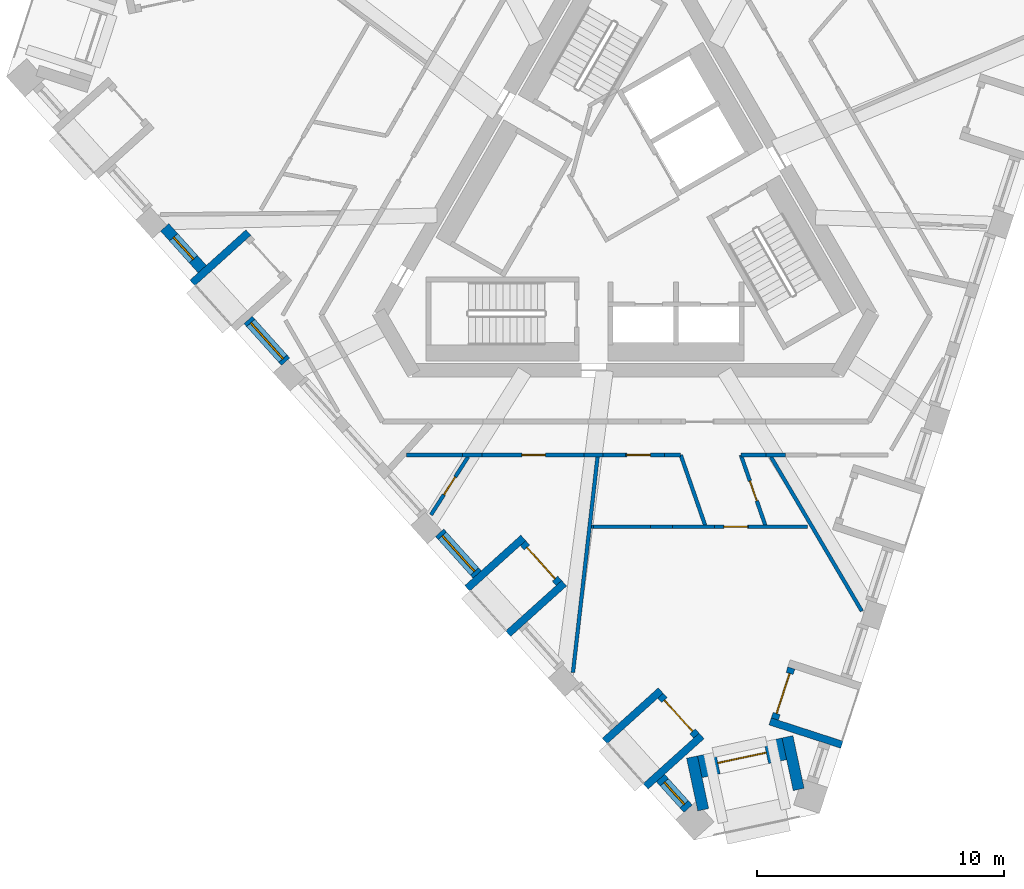
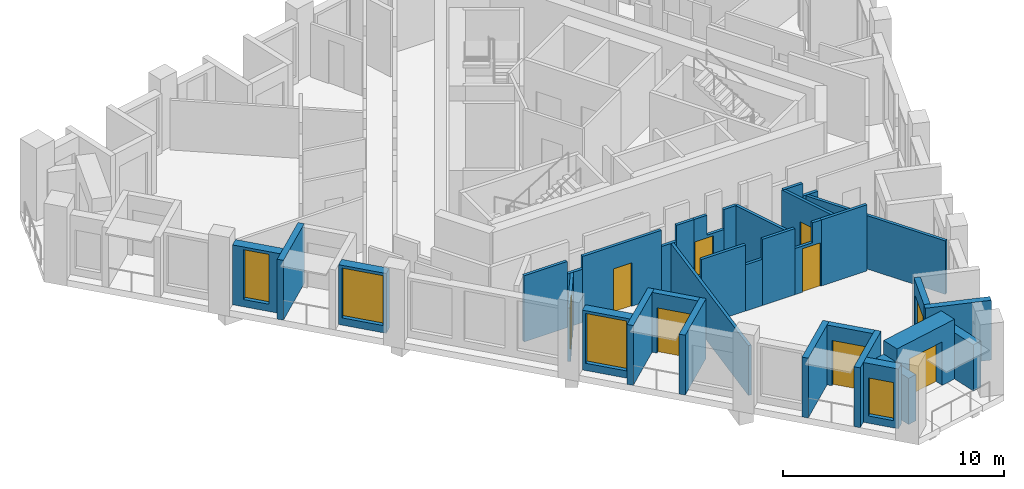
# One storey, part 2 of 12: 36 walls, 9 doors, 4 windows, 13 openings.
"""IFC4 building model written with IfcOpenShell, lengths in metres."""

from ifc_helpers import new_model, si_unit, direction, frame, frame_2d, origin, place, context, subcontext, project, spatial, polyline, rectangle, outline, extrude, material, layer, layer_set, type_object, element, fill, save


model = new_model("IFC4")

# Units and contexts
model_context = context("Model", 3, precision=1e-05, world=origin(), true_north=direction((0.0, 1.0)))
body_context = subcontext(model_context, "Body", "Model", "MODEL_VIEW")
ifc_project = project(units=[si_unit("LENGTHUNIT", "METRE"), si_unit("AREAUNIT", "SQUARE_METRE"), si_unit("VOLUMEUNIT", "CUBIC_METRE"), si_unit("PLANEANGLEUNIT", "RADIAN"), si_unit("MASSUNIT", "GRAM", prefix="KILO")], contexts=[model_context])

# Site, building, storey
site_placement = place(None, origin())
site = spatial("IfcSite", under=ifc_project, at=site_placement, CompositionType="ELEMENT")
building_placement = place(site_placement, origin())
building = spatial("IfcBuilding", under=site, at=building_placement, Name="Tramontana Tower", CompositionType="ELEMENT")
storey_placement = place(building_placement, frame((0.0, 0.0, 320.39990234375)))
storey = spatial("IfcBuildingStorey", under=building, at=storey_placement, Name="L73", CompositionType="ELEMENT", Elevation=320.39990234375)

# Wall, opening, window
ifc_material_1 = material(Name="Precast concrete 60 MPa", Category="concrete")
ifc_layer_1 = layer(ifc_material_1, 0.449951171875)
ifc_layer_set_1 = layer_set([ifc_layer_1], Name="Precast concrete 60 MPa, 450 mm")
wall_type_1 = type_object("IfcWallType", Name="EW1 Stone-faced precast wall 450", PredefinedType="SOLIDWALL", material=ifc_layer_set_1)
wall_1_placement = place(storey_placement, frame((-18.655517578125, -0.689208984375, 0.0), z_axis=(0.0, 0.0, 1.0), x_axis=(0.669107243666, -0.743165860676, 0.0)))
wall_1 = element("IfcWall", 1, at=wall_1_placement, inside=storey, type_object=wall_type_1, Name="External wall L73 face 0 bay 2", PredefinedType="SOLIDWALL", context=body_context, shape_type="SweptSolid", body=[
    extrude(rectangle(XDim=2.271240234375, YDim=0.449951171875, at=frame_2d((1.1357421875, 0.0))), origin(), (0.0, 0.0, 1.0), 3.300048828125),
])
opening_1_placement = place(wall_1_placement, frame((0.53564453125, 0.0, 0.39990234375)))
opening_1 = element("IfcOpeningElement", 2, at=opening_1_placement, cuts=wall_1, Name="Opening N3", PredefinedType="OPENING", context=body_context, shape_type="SweptSolid", body=[
    extrude(rectangle(XDim=1.199951171875, YDim=2.75, at=frame_2d((0.60009765625, 1.375))), frame((0.0, 0.23486328125, 0.0), z_axis=(0.0, -1.0, 0.0), x_axis=(1.0, 0.0, 0.0)), (0.0, 0.0, 1.0), 0.469970703125),
])
ifc_material_2 = material(Name="Aluminum frame, double glazing unit", Category="aluminium")
window_type_1 = type_object("IfcWindowType", Name="N3 Window 1.2 x 2.75", PartitioningType="SINGLE_PANEL", PredefinedType="WINDOW", material=ifc_material_2)
window_1_placement = place(opening_1_placement, origin())
window_1 = element("IfcWindow", 3, at=window_1_placement, inside=storey, type_object=window_type_1, Name="Window N3 L73 face 0 module 4", OverallHeight=2.75, OverallWidth=1.199951171875, PartitioningType="SINGLE_PANEL", PredefinedType="WINDOW", context=body_context, shape_type="SweptSolid", body=[
    extrude(rectangle(XDim=1.199951171875, YDim=2.75, at=frame_2d((0.60009765625, 1.375))), frame((0.0, 0.030029296875, 0.0), z_axis=(0.0, -1.0, 0.0), x_axis=(1.0, 0.0, 0.0)), (0.0, 0.0, 1.0), 0.06005859375),
])
fill(opening_1, window_1)

wall_2_placement = place(storey_placement, frame((-15.281494140625, -4.4365234375, 0.0), z_axis=(0.0, 0.0, 1.0), x_axis=(0.669107243666, -0.743165860676, 0.0)))
wall_2 = element("IfcWall", 4, at=wall_2_placement, inside=storey, type_object=wall_type_1, Name="External wall L73 face 0 bay 2", PredefinedType="SOLIDWALL", context=body_context, shape_type="SweptSolid", body=[
    extrude(rectangle(XDim=2.271240234375, YDim=0.449951171875, at=frame_2d((1.1357421875, 0.0))), origin(), (0.0, 0.0, 1.0), 3.300048828125),
])
opening_2_placement = place(wall_2_placement, frame((0.16064453125, 0.0, 0.39990234375)))
opening_2 = element("IfcOpeningElement", 5, at=opening_2_placement, cuts=wall_2, Name="Opening M3", PredefinedType="OPENING", context=body_context, shape_type="SweptSolid", body=[
    extrude(rectangle(XDim=1.949951171875, YDim=2.75, at=frame_2d((0.97509765625, 1.375))), frame((0.0, 0.23486328125, 0.0), z_axis=(0.0, -1.0, 0.0), x_axis=(1.0, 0.0, 0.0)), (0.0, 0.0, 1.0), 0.469970703125),
])
ifc_material_3 = material(Name="Aluminum frame, double glazing unit", Category="aluminium")
window_type_2 = type_object("IfcWindowType", Name="M3 Window 1.95 x 2.75", PartitioningType="SINGLE_PANEL", PredefinedType="WINDOW", material=ifc_material_3)
window_2_placement = place(opening_2_placement, origin())
window_2 = element("IfcWindow", 6, at=window_2_placement, inside=storey, type_object=window_type_2, Name="Window M3 L73 face 0 module 6", OverallHeight=2.75, OverallWidth=1.949951171875, PartitioningType="SINGLE_PANEL", PredefinedType="WINDOW", context=body_context, shape_type="SweptSolid", body=[
    extrude(rectangle(XDim=1.949951171875, YDim=2.75, at=frame_2d((0.97509765625, 1.375))), frame((0.0, 0.030029296875, 0.0), z_axis=(0.0, -1.0, 0.0), x_axis=(1.0, 0.0, 0.0)), (0.0, 0.0, 1.0), 0.06005859375),
])
fill(opening_2, window_2)

wall_3_placement = place(storey_placement, frame((-7.529541015625, -13.046142578125, 0.0), z_axis=(0.0, 0.0, 1.0), x_axis=(0.669160694992, -0.743117732447, 0.0)))
wall_3 = element("IfcWall", 7, at=wall_3_placement, inside=storey, type_object=wall_type_1, Name="External wall L73 face 0 bay 4", PredefinedType="SOLIDWALL", context=body_context, shape_type="SweptSolid", body=[
    extrude(rectangle(XDim=2.271240234375, YDim=0.449951171875, at=frame_2d((1.1357421875, 0.0))), origin(), (0.0, 0.0, 1.0), 3.300048828125),
])
opening_3_placement = place(wall_3_placement, frame((0.16064453125, 0.0, 0.39990234375)))
opening_3 = element("IfcOpeningElement", 8, at=opening_3_placement, cuts=wall_3, Name="Opening M3", PredefinedType="OPENING", context=body_context, shape_type="SweptSolid", body=[
    extrude(rectangle(XDim=1.949951171875, YDim=2.75, at=frame_2d((0.97509765625, 1.375))), frame((0.0, 0.23486328125, 0.0), z_axis=(0.0, -1.0, 0.0), x_axis=(1.0, 0.0, 0.0)), (0.0, 0.0, 1.0), 0.469970703125),
])
window_3_placement = place(opening_3_placement, origin())
window_3 = element("IfcWindow", 9, at=window_3_placement, inside=storey, type_object=window_type_2, Name="Window M3 L73 face 0 module 10", OverallHeight=2.75, OverallWidth=1.949951171875, PartitioningType="SINGLE_PANEL", PredefinedType="WINDOW", context=body_context, shape_type="SweptSolid", body=[
    extrude(rectangle(XDim=1.949951171875, YDim=2.75, at=frame_2d((0.97509765625, 1.375))), frame((0.0, 0.030029296875, 0.0), z_axis=(0.0, -1.0, 0.0), x_axis=(1.0, 0.0, 0.0)), (0.0, 0.0, 1.0), 0.06005859375),
])
fill(opening_3, window_3)

wall_4_placement = place(storey_placement, frame((1.40771484375, -22.971923828125, 0.0), z_axis=(0.0, 0.0, 1.0), x_axis=(0.669182609054, -0.743097998746, 0.0)))
wall_4 = element("IfcWall", 10, at=wall_4_placement, inside=storey, type_object=wall_type_1, Name="External wall L73 face 0 bay 5", PredefinedType="SOLIDWALL", context=body_context, shape_type="SweptSolid", body=[
    extrude(rectangle(XDim=1.67138671875, YDim=0.449951171875, at=frame_2d((0.835693359375, 0.0))), origin(), (0.0, 0.0, 1.0), 3.300048828125),
])
opening_4_placement = place(wall_4_placement, frame((0.235595703125, 0.0, 0.39990234375)))
opening_4 = element("IfcOpeningElement", 11, at=opening_4_placement, cuts=wall_4, Name="Opening N3L", PredefinedType="OPENING", context=body_context, shape_type="SweptSolid", body=[
    extrude(rectangle(XDim=1.199951171875, YDim=2.10009765625, at=frame_2d((0.60009765625, 1.050048828125))), frame((0.0, 0.23486328125, 0.0), z_axis=(0.0, -1.0, 0.0), x_axis=(1.0, 0.0, 0.0)), (0.0, 0.0, 1.0), 0.469970703125),
])
ifc_material_4 = material(Name="Aluminum frame, double glazing unit", Category="aluminium")
window_type_3 = type_object("IfcWindowType", Name="N3L Window 1.2 x 2.1", PartitioningType="SINGLE_PANEL", PredefinedType="WINDOW", material=ifc_material_4)
window_4_placement = place(opening_4_placement, origin())
window_4 = element("IfcWindow", 12, at=window_4_placement, inside=storey, type_object=window_type_3, Name="Window N3L L73 face 0 module 15", OverallHeight=2.10009765625, OverallWidth=1.199951171875, PartitioningType="SINGLE_PANEL", PredefinedType="WINDOW", context=body_context, shape_type="SweptSolid", body=[
    extrude(rectangle(XDim=1.199951171875, YDim=2.10009765625, at=frame_2d((0.60009765625, 1.050048828125))), frame((0.0, 0.030029296875, 0.0), z_axis=(0.0, -1.0, 0.0), x_axis=(1.0, 0.0, 0.0)), (0.0, 0.0, 1.0), 0.06005859375),
])
fill(opening_4, window_4)

# Walls
for number, where, z_axis, x_axis, name in (
    (13, (7.00048828125, -23.435791015625, 0.0), (0.0, 0.0, 1.0), (-0.207929769172, 0.978143757886, 0.0), "Corner loggia side wall L73 K81l"),
    (14, (3.136962890625, -24.257080078125, 0.0), (0.0, 0.0, 1.0), (-0.207929769172, 0.978143757886, 0.0), "Corner loggia side wall L73 K81r"),
):
    element("IfcWall", number, at=place(storey_placement, frame(where, z_axis=z_axis, x_axis=x_axis)), inside=storey, type_object=wall_type_1, Name=name, PredefinedType="SOLIDWALL", context=body_context, shape_type="SweptSolid", body=[
        extrude(rectangle(XDim=2.17919921875, YDim=0.449951171875, at=frame_2d((1.089599609375, 0.0))), origin(), (0.0, 0.0, 1.0), 2.550048828125),
    ])

# Wall, opening, door
ifc_material_5 = material(Name="Precast concrete 60 MPa", Category="concrete")
ifc_layer_2 = layer(ifc_material_5, 0.89990234375)
ifc_layer_set_2 = layer_set([ifc_layer_2], Name="EW2 Stone-faced corner loggia wall 900")
wall_type_2 = type_object("IfcWallType", Name="EW2 Stone-faced corner loggia wall 900", PredefinedType="SOLIDWALL", material=ifc_layer_set_2)
wall_5_placement = place(storey_placement, frame((6.4208984375, -21.791259765625, 0.0), z_axis=(0.0, 0.0, 1.0), x_axis=(-0.978154241128, -0.207880447765, 0.0)))
wall_5 = element("IfcWall", 15, at=wall_5_placement, inside=storey, type_object=wall_type_2, Name="Corner loggia wall L73 K81", PredefinedType="SOLIDWALL", context=body_context, shape_type="SweptSolid", body=[
    extrude(rectangle(XDim=3.499755859375, YDim=0.89990234375, at=frame_2d((1.75, 0.0))), origin(), (0.0, 0.0, 1.0), 3.300048828125),
])
opening_5_placement = place(wall_5_placement, frame((0.75, 0.0, 0.0)))
opening_5 = element("IfcOpeningElement", 16, at=opening_5_placement, cuts=wall_5, Name="Opening BD-81C", PredefinedType="OPENING", context=body_context, shape_type="SweptSolid", body=[
    extrude(rectangle(XDim=2.0, YDim=2.39990234375, at=frame_2d((1.0, 1.199951171875))), frame((0.0, 0.4599609375, 0.0), z_axis=(0.0, -1.0, 0.0), x_axis=(1.0, 0.0, 0.0)), (0.0, 0.0, 1.0), 0.919921875),
])
ifc_material_6 = material(Name="Aluminum frame, double glazing unit", Category="aluminium")
door_type_1 = type_object("IfcDoorType", Name="BC1 Sliding door 2 x 2.4", OperationType="SLIDING_TO_LEFT", PredefinedType="DOOR", material=ifc_material_6)
door_1_placement = place(opening_5_placement, origin())
door_1 = element("IfcDoor", 17, at=door_1_placement, inside=storey, type_object=door_type_1, Name="Corner loggia door L73 K81", OperationType="SLIDING_TO_LEFT", OverallHeight=2.39990234375, OverallWidth=2.0, PredefinedType="DOOR", context=body_context, shape_type="SweptSolid", body=[
    extrude(rectangle(XDim=2.0, YDim=2.39990234375, at=frame_2d((1.0, 1.199951171875))), frame((0.0, 0.02490234375, 0.0), z_axis=(0.0, -1.0, 0.0), x_axis=(1.0, 0.0, 0.0)), (0.0, 0.0, 1.0), 0.050048828125),
])
fill(opening_5, door_1)

# Wall
ifc_material_7 = material(Name="Precast concrete 60 MPa", Category="concrete")
ifc_layer_3 = layer(ifc_material_7, 0.300048828125)
ifc_layer_set_3 = layer_set([ifc_layer_3], Name="LW1 Stone-faced loggia wall 300")
wall_type_3 = type_object("IfcWallType", Name="LW1 Stone-faced loggia wall 300", PredefinedType="SOLIDWALL", material=ifc_layer_set_3)
wall_6_placement = place(storey_placement, frame((-17.537109375, -2.9404296875, 0.0), z_axis=(0.0, 0.0, 1.0), x_axis=(0.743118999127, 0.669159288314, 0.0)))
element("IfcWall", 18, at=wall_6_placement, inside=storey, type_object=wall_type_3, Name="Loggia return L73 G8S0.4a", PredefinedType="SOLIDWALL", context=body_context, shape_type="SweptSolid", body=[
    extrude(rectangle(XDim=3.050048828125, YDim=0.300048828125, at=frame_2d((1.52490234375, 0.0))), origin(), (0.0, 0.0, 1.0), 3.300048828125),
])

# Wall, opening, door
wall_7_placement = place(storey_placement, frame((-4.155517578125, -13.468017578125, 0.0), z_axis=(0.0, 0.0, 1.0), x_axis=(0.669144868344, -0.743131983681, 0.0)))
wall_7 = element("IfcWall", 19, at=wall_7_placement, inside=storey, type_object=wall_type_3, Name="Loggia wall L73 G8S0.10", PredefinedType="SOLIDWALL", context=body_context, shape_type="SweptSolid", body=[
    extrude(rectangle(XDim=2.171142578125, YDim=0.300048828125, at=frame_2d((1.08544921875, 0.0))), origin(), (0.0, 0.0, 1.0), 3.300048828125),
])
opening_6_placement = place(wall_7_placement, frame((0.235595703125, 0.0, 0.0)))
opening_6 = element("IfcOpeningElement", 20, at=opening_6_placement, cuts=wall_7, Name="Opening BD-8S0-10", PredefinedType="OPENING", context=body_context, shape_type="SweptSolid", body=[
    extrude(rectangle(XDim=1.699951171875, YDim=2.5, at=frame_2d((0.85009765625, 1.25))), frame((0.0, 0.159912109375, 0.0), z_axis=(0.0, -1.0, 0.0), x_axis=(1.0, 0.0, 0.0)), (0.0, 0.0, 1.0), 0.320068359375),
])
ifc_material_8 = material(Name="Aluminum frame, double glazing unit", Category="aluminium")
door_type_2 = type_object("IfcDoorType", Name="BD3 Sliding door 1.7 x 2.5", OperationType="SLIDING_TO_LEFT", PredefinedType="DOOR", material=ifc_material_8)
door_2_placement = place(opening_6_placement, origin())
door_2 = element("IfcDoor", 21, at=door_2_placement, inside=storey, type_object=door_type_2, Name="Loggia door L73 G8S0.10", OperationType="SLIDING_TO_LEFT", OverallHeight=2.5, OverallWidth=1.699951171875, PredefinedType="DOOR", context=body_context, shape_type="SweptSolid", body=[
    extrude(rectangle(XDim=1.699951171875, YDim=2.5, at=frame_2d((0.85009765625, 1.25))), frame((0.0, 0.02490234375, 0.0), z_axis=(0.0, -1.0, 0.0), x_axis=(1.0, 0.0, 0.0)), (0.0, 0.0, 1.0), 0.050048828125),
])
fill(opening_6, door_2)

# Walls
for number, where, z_axis, x_axis, name in (
    (22, (-6.410888671875, -15.297119140625, 0.0), (0.0, 0.0, 1.0), (0.743158802514, 0.669115082961, 0.0), "Loggia return L73 G8S0.10a"),
    (23, (-4.75732421875, -17.133544921875, 0.0), (0.0, 0.0, 1.0), (0.743158802514, 0.669115082961, 0.0), "Loggia return L73 G8S0.10b"),
):
    element("IfcWall", number, at=place(storey_placement, frame(where, z_axis=z_axis, x_axis=x_axis)), inside=storey, type_object=wall_type_3, Name=name, PredefinedType="SOLIDWALL", context=body_context, shape_type="SweptSolid", body=[
        extrude(rectangle(XDim=3.050048828125, YDim=0.300048828125, at=frame_2d((1.52490234375, 0.0))), origin(), (0.0, 0.0, 1.0), 3.300048828125),
    ])

# Wall, opening, door
wall_8_placement = place(storey_placement, frame((1.40771484375, -19.646484375, 0.0), z_axis=(0.0, 0.0, 1.0), x_axis=(0.669144868344, -0.743131983681, 0.0)))
wall_8 = element("IfcWall", 24, at=wall_8_placement, inside=storey, type_object=wall_type_3, Name="Loggia wall L73 G8S0.13", PredefinedType="SOLIDWALL", context=body_context, shape_type="SweptSolid", body=[
    extrude(rectangle(XDim=2.171142578125, YDim=0.300048828125, at=frame_2d((1.08544921875, 0.0))), origin(), (0.0, 0.0, 1.0), 3.300048828125),
])
opening_7_placement = place(wall_8_placement, frame((0.235595703125, 0.0, 0.0)))
opening_7 = element("IfcOpeningElement", 25, at=opening_7_placement, cuts=wall_8, Name="Opening BD-8S0-13", PredefinedType="OPENING", context=body_context, shape_type="SweptSolid", body=[
    extrude(rectangle(XDim=1.699951171875, YDim=2.5, at=frame_2d((0.85009765625, 1.25))), frame((0.0, 0.159912109375, 0.0), z_axis=(0.0, -1.0, 0.0), x_axis=(1.0, 0.0, 0.0)), (0.0, 0.0, 1.0), 0.320068359375),
])
door_3_placement = place(opening_7_placement, origin())
door_3 = element("IfcDoor", 26, at=door_3_placement, inside=storey, type_object=door_type_2, Name="Loggia door L73 G8S0.13", OperationType="SLIDING_TO_LEFT", OverallHeight=2.5, OverallWidth=1.699951171875, PredefinedType="DOOR", context=body_context, shape_type="SweptSolid", body=[
    extrude(rectangle(XDim=1.699951171875, YDim=2.5, at=frame_2d((0.85009765625, 1.25))), frame((0.0, 0.02490234375, 0.0), z_axis=(0.0, -1.0, 0.0), x_axis=(1.0, 0.0, 0.0)), (0.0, 0.0, 1.0), 0.050048828125),
])
fill(opening_7, door_3)

# Walls
for number, where, z_axis, x_axis, name in (
    (27, (-0.847900390625, -21.4755859375, 0.0), (0.0, 0.0, 1.0), (0.743118999127, 0.669159288314, 0.0), "Loggia return L73 G8S0.13a"),
    (28, (0.8056640625, -23.31201171875, 0.0), (0.0, 0.0, 1.0), (0.743158802514, 0.669115082961, 0.0), "Loggia return L73 G8S0.13b"),
):
    element("IfcWall", number, at=place(storey_placement, frame(where, z_axis=z_axis, x_axis=x_axis)), inside=storey, type_object=wall_type_3, Name=name, PredefinedType="SOLIDWALL", context=body_context, shape_type="SweptSolid", body=[
        extrude(rectangle(XDim=3.050048828125, YDim=0.300048828125, at=frame_2d((1.52490234375, 0.0))), origin(), (0.0, 0.0, 1.0), 3.300048828125),
    ])

# Wall, opening, door
wall_9_placement = place(storey_placement, frame((6.0341796875, -20.58544921875, 0.0), z_axis=(0.0, 0.0, 1.0), x_axis=(0.308999623589, 0.95106216023, 0.0)))
wall_9 = element("IfcWall", 29, at=wall_9_placement, inside=storey, type_object=wall_type_3, Name="Loggia wall L73 G8S1.1", PredefinedType="SOLIDWALL", context=body_context, shape_type="SweptSolid", body=[
    extrude(rectangle(XDim=2.171142578125, YDim=0.300048828125, at=frame_2d((1.08544921875, 0.0))), origin(), (0.0, 0.0, 1.0), 3.300048828125),
])
opening_8_placement = place(wall_9_placement, frame((0.235595703125, 0.0, 0.0)))
opening_8 = element("IfcOpeningElement", 30, at=opening_8_placement, cuts=wall_9, Name="Opening BD-8S1-01", PredefinedType="OPENING", context=body_context, shape_type="SweptSolid", body=[
    extrude(rectangle(XDim=1.699951171875, YDim=2.5, at=frame_2d((0.85009765625, 1.25))), frame((0.0, 0.159912109375, 0.0), z_axis=(0.0, -1.0, 0.0), x_axis=(1.0, 0.0, 0.0)), (0.0, 0.0, 1.0), 0.320068359375),
])
door_4_placement = place(opening_8_placement, origin())
door_4 = element("IfcDoor", 31, at=door_4_placement, inside=storey, type_object=door_type_2, Name="Loggia door L73 G8S1.1", OperationType="SLIDING_TO_LEFT", OverallHeight=2.5, OverallWidth=1.699951171875, PredefinedType="DOOR", context=body_context, shape_type="SweptSolid", body=[
    extrude(rectangle(XDim=1.699951171875, YDim=2.5, at=frame_2d((0.85009765625, 1.25))), frame((0.0, 0.02490234375, 0.0), z_axis=(0.0, -1.0, 0.0), x_axis=(1.0, 0.0, 0.0)), (0.0, 0.0, 1.0), 0.050048828125),
])
fill(opening_8, door_4)

# Wall
wall_10_placement = place(storey_placement, frame((8.745849609375, -21.624267578125, 0.0), z_axis=(0.0, 0.0, 1.0), x_axis=(-0.951072883748, 0.308966615996, 0.0)))
element("IfcWall", 32, at=wall_10_placement, inside=storey, type_object=wall_type_3, Name="Loggia return L73 G8S1.1a", PredefinedType="SOLIDWALL", context=body_context, shape_type="SweptSolid", body=[
    extrude(rectangle(XDim=3.050048828125, YDim=0.300048828125, at=frame_2d((1.52490234375, 0.0))), origin(), (0.0, 0.0, 1.0), 3.300048828125),
])

# Wall, opening, door
ifc_material_9 = material(Name="Gypsum board partition")
ifc_layer_4 = layer(ifc_material_9, 0.14990234375)
ifc_layer_set_4 = layer_set([ifc_layer_4], Name="PARTITION 150")
wall_type_4 = type_object("IfcWallType", Name="PARTITION 150", PredefinedType="PARTITIONING", material=ifc_layer_set_4)
wall_11_placement = place(storey_placement, frame((-7.87841796875, -12.322265625, 0.0), z_axis=(0.0, 0.0, 1.0), x_axis=(0.5386831167, 0.842508456801, 0.0)))
wall_11 = element("IfcWall", 33, at=wall_11_placement, inside=storey, type_object=wall_type_4, Name="Wall v80-pw10-0", PredefinedType="PARTITIONING", context=body_context, shape_type="SweptSolid", body=[
    extrude(rectangle(XDim=2.785888671875, YDim=0.14990234375, at=frame_2d((1.39306640625, 0.0))), origin(), (0.0, 0.0, 1.0), 2.9501953125),
])
opening_9_placement = place(wall_11_placement, frame((0.968017578125, 0.0, 0.0)))
opening_9 = element("IfcOpeningElement", 34, at=opening_9_placement, cuts=wall_11, Name="Opening B8A-12", PredefinedType="OPENING", context=body_context, shape_type="SweptSolid", body=[
    extrude(rectangle(XDim=0.85009765625, YDim=2.39990234375, at=frame_2d((0.425048828125, 1.199951171875))), frame((0.0, 0.0849609375, 0.0), z_axis=(0.0, -1.0, 0.0), x_axis=(1.0, 0.0, 0.0)), (0.0, 0.0, 1.0), 0.169921875),
])
ifc_material_10 = material(Name="Painted timber", Category="wood")
door_type_3 = type_object("IfcDoorType", Name="DOOR BATH 850", OperationType="SINGLE_SWING_LEFT", PredefinedType="DOOR", material=ifc_material_10)
door_5_placement = place(opening_9_placement, origin())
door_5 = element("IfcDoor", 35, at=door_5_placement, inside=storey, type_object=door_type_3, Name="Door B8A-12", OperationType="SINGLE_SWING_RIGHT", OverallHeight=2.39990234375, OverallWidth=0.85009765625, PredefinedType="DOOR", context=body_context, shape_type="SweptSolid", body=[
    extrude(rectangle(XDim=0.85009765625, YDim=2.39990234375, at=frame_2d((0.425048828125, 1.199951171875))), frame((0.0, 0.02490234375, 0.0), z_axis=(0.0, -1.0, 0.0), x_axis=(1.0, 0.0, 0.0)), (0.0, 0.0, 1.0), 0.050048828125),
])
fill(opening_9, door_5)

# Walls
wall_12_placement = place(storey_placement, frame((-2.1337890625, -18.702392578125, 0.0), z_axis=(0.0, 0.0, 1.0), x_axis=(0.113371784985, 0.993552634926, 0.0)))
element("IfcWall", 36, at=wall_12_placement, inside=storey, type_object=wall_type_4, Name="Wall v80-pw13-0", PredefinedType="PARTITIONING", context=body_context, shape_type="SweptSolid", body=[
    extrude(rectangle(XDim=8.783935546875, YDim=0.14990234375, at=frame_2d((4.39208984375, 0.0))), origin(), (0.0, 0.0, 1.0), 2.75),
])
wall_13_placement = place(storey_placement, frame((2.2236328125, -9.89990234375, 0.0), z_axis=(0.0, 0.0, 1.0), x_axis=(-1.0, 0.0, 0.0)))
element("IfcWall", 37, at=wall_13_placement, inside=storey, type_object=wall_type_4, Name="Wall v80-pw16-0", PredefinedType="PARTITIONING", context=body_context, shape_type="SweptSolid", body=[
    extrude(rectangle(XDim=0.660888671875, YDim=0.14990234375, at=frame_2d((0.33056640625, 0.0))), origin(), (0.0, 0.0, 1.0), 3.650146484375),
])

# Wall, opening, door
wall_14_placement = place(storey_placement, frame((1.562744140625, -9.89990234375, 0.0), z_axis=(0.0, 0.0, 1.0), x_axis=(-1.0, 0.0, 0.0)))
wall_14 = element("IfcWall", 38, at=wall_14_placement, inside=storey, type_object=wall_type_4, Name="Wall v80-pw16-1", PredefinedType="PARTITIONING", context=body_context, shape_type="SweptSolid", body=[
    extrude(outline(polyline([(0.0, 0.0), (1.562255859375, 0.0), (1.562255859375, 3.650146484375), (0.880615234375, 3.650146484375), (0.880615234375, 2.550048828125), (0.0, 2.550048828125), (0.0, 0.0)])), frame((0.0, 0.074951171875, 0.0), z_axis=(0.0, -1.0, 0.0), x_axis=(1.0, 0.0, 0.0)), (0.0, 0.0, 1.0), 0.14990234375),
])
opening_10_placement = place(wall_14_placement, frame((0.562255859375, 0.0, 0.0)))
opening_10 = element("IfcOpeningElement", 39, at=opening_10_placement, cuts=wall_14, Name="Opening B8A-07", PredefinedType="OPENING", context=body_context, shape_type="SweptSolid", body=[
    extrude(rectangle(XDim=0.949951171875, YDim=2.39990234375, at=frame_2d((0.47509765625, 1.199951171875))), frame((0.0, 0.0849609375, 0.0), z_axis=(0.0, -1.0, 0.0), x_axis=(1.0, 0.0, 0.0)), (0.0, 0.0, 1.0), 0.169921875),
])
ifc_material_11 = material(Name="Painted timber", Category="wood")
door_type_4 = type_object("IfcDoorType", Name="DOOR ROOM 950", OperationType="SINGLE_SWING_LEFT", PredefinedType="DOOR", material=ifc_material_11)
door_6_placement = place(opening_10_placement, origin())
door_6 = element("IfcDoor", 40, at=door_6_placement, inside=storey, type_object=door_type_4, Name="Door B8A-07", OperationType="SINGLE_SWING_LEFT", OverallHeight=2.39990234375, OverallWidth=0.949951171875, PredefinedType="DOOR", context=body_context, shape_type="SweptSolid", body=[
    extrude(rectangle(XDim=0.949951171875, YDim=2.39990234375, at=frame_2d((0.47509765625, 1.199951171875))), frame((0.0, 0.02490234375, 0.0), z_axis=(0.0, -1.0, 0.0), x_axis=(1.0, 0.0, 0.0)), (0.0, 0.0, 1.0), 0.050048828125),
])
fill(opening_10, door_6)

# Walls
wall_15_placement = place(storey_placement, frame((0.00048828125, -9.89990234375, 0.0), z_axis=(0.0, 0.0, 1.0), x_axis=(-1.0, 0.0, 0.0)))
element("IfcWall", 41, at=wall_15_placement, inside=storey, type_object=wall_type_4, Name="Wall v80-pw16-2", PredefinedType="PARTITIONING", context=body_context, shape_type="SweptSolid", body=[
    extrude(rectangle(XDim=0.91259765625, YDim=0.14990234375, at=frame_2d((0.456298828125, 0.0))), origin(), (0.0, 0.0, 1.0), 3.650146484375),
])
wall_16_placement = place(storey_placement, frame((-0.912109375, -9.89990234375, 0.0), z_axis=(0.0, 0.0, 1.0), x_axis=(-1.0, 0.0, 0.0)))
element("IfcWall", 42, at=wall_16_placement, inside=storey, type_object=wall_type_4, Name="Wall v80-pw16-3", PredefinedType="PARTITIONING", context=body_context, shape_type="SweptSolid", body=[
    extrude(rectangle(XDim=0.78173828125, YDim=0.14990234375, at=frame_2d((0.390869140625, 0.0))), origin(), (0.0, 0.0, 1.0), 2.75),
])

# Wall, opening, door
wall_17_placement = place(storey_placement, frame((-1.69384765625, -9.89990234375, 0.0), z_axis=(0.0, 0.0, 1.0), x_axis=(-1.0, 0.0, 0.0)))
wall_17 = element("IfcWall", 43, at=wall_17_placement, inside=storey, type_object=wall_type_4, Name="Wall v80-pw16-4", PredefinedType="PARTITIONING", context=body_context, shape_type="SweptSolid", body=[
    extrude(rectangle(XDim=4.11962890625, YDim=0.14990234375, at=frame_2d((2.059814453125, 0.0))), origin(), (0.0, 0.0, 1.0), 3.650146484375),
])
opening_11_placement = place(wall_17_placement, frame((1.56103515625, 0.0, 0.0)))
opening_11 = element("IfcOpeningElement", 44, at=opening_11_placement, cuts=wall_17, Name="Opening B8A-10", PredefinedType="OPENING", context=body_context, shape_type="SweptSolid", body=[
    extrude(rectangle(XDim=0.949951171875, YDim=2.39990234375, at=frame_2d((0.47509765625, 1.199951171875))), frame((0.0, 0.0849609375, 0.0), z_axis=(0.0, -1.0, 0.0), x_axis=(1.0, 0.0, 0.0)), (0.0, 0.0, 1.0), 0.169921875),
])
door_7_placement = place(opening_11_placement, origin())
door_7 = element("IfcDoor", 45, at=door_7_placement, inside=storey, type_object=door_type_4, Name="Door B8A-10", OperationType="SINGLE_SWING_RIGHT", OverallHeight=2.39990234375, OverallWidth=0.949951171875, PredefinedType="DOOR", context=body_context, shape_type="SweptSolid", body=[
    extrude(rectangle(XDim=0.949951171875, YDim=2.39990234375, at=frame_2d((0.47509765625, 1.199951171875))), frame((0.0, 0.02490234375, 0.0), z_axis=(0.0, -1.0, 0.0), x_axis=(1.0, 0.0, 0.0)), (0.0, 0.0, 1.0), 0.050048828125),
])
fill(opening_11, door_7)

# Walls
wall_18_placement = place(storey_placement, frame((-5.8134765625, -9.89990234375, 0.0), z_axis=(0.0, 0.0, 1.0), x_axis=(-1.0, 0.0, 0.0)))
element("IfcWall", 46, at=wall_18_placement, inside=storey, type_object=wall_type_4, Name="Wall v80-pw16-5", PredefinedType="PARTITIONING", context=body_context, shape_type="SweptSolid", body=[
    extrude(rectangle(XDim=0.796875, YDim=0.14990234375, at=frame_2d((0.3984375, 0.0))), origin(), (0.0, 0.0, 1.0), 2.9501953125),
])
wall_19_placement = place(storey_placement, frame((-6.6103515625, -9.89990234375, 0.0), z_axis=(0.0, 0.0, 1.0), x_axis=(-1.0, 0.0, 0.0)))
element("IfcWall", 47, at=wall_19_placement, inside=storey, type_object=wall_type_4, Name="Wall v80-pw16-6", PredefinedType="PARTITIONING", context=body_context, shape_type="SweptSolid", body=[
    extrude(rectangle(XDim=2.25634765625, YDim=0.14990234375, at=frame_2d((1.128173828125, 0.0))), origin(), (0.0, 0.0, 1.0), 3.650146484375),
])
wall_20_placement = place(storey_placement, frame((3.2333984375, -12.797119140625, 0.0), z_axis=(0.0, 0.0, 1.0), x_axis=(-0.328483552403, 0.944509690687, 0.0)))
element("IfcWall", 48, at=wall_20_placement, inside=storey, type_object=wall_type_4, Name="Wall v80-pw17", PredefinedType="PARTITIONING", context=body_context, shape_type="SweptSolid", body=[
    extrude(rectangle(XDim=3.065185546875, YDim=0.14990234375, at=frame_2d((1.53271484375, 0.0))), origin(), (0.0, 0.0, 1.0), 3.650146484375),
])

# Wall, opening, door
wall_21_placement = place(storey_placement, frame((4.662353515625, -9.904052734375, 0.0), z_axis=(0.0, 0.0, 1.0), x_axis=(0.328468069606, -0.944515075184, 0.0)))
wall_21 = element("IfcWall", 49, at=wall_21_placement, inside=storey, type_object=wall_type_4, Name="Wall v80-pw19", PredefinedType="PARTITIONING", context=body_context, shape_type="SweptSolid", body=[
    extrude(rectangle(XDim=3.06298828125, YDim=0.14990234375, at=frame_2d((1.531494140625, 0.0))), origin(), (0.0, 0.0, 1.0), 3.650146484375),
])
opening_12_placement = place(wall_21_placement, frame((1.1064453125, 0.0, 0.0)))
opening_12 = element("IfcOpeningElement", 50, at=opening_12_placement, cuts=wall_21, Name="Opening B8A-08", PredefinedType="OPENING", context=body_context, shape_type="SweptSolid", body=[
    extrude(rectangle(XDim=0.85009765625, YDim=2.39990234375, at=frame_2d((0.425048828125, 1.199951171875))), frame((0.0, 0.0849609375, 0.0), z_axis=(0.0, -1.0, 0.0), x_axis=(1.0, 0.0, 0.0)), (0.0, 0.0, 1.0), 0.169921875),
])
door_8_placement = place(opening_12_placement, origin())
door_8 = element("IfcDoor", 51, at=door_8_placement, inside=storey, type_object=door_type_3, Name="Door B8A-08", OperationType="SINGLE_SWING_RIGHT", OverallHeight=2.39990234375, OverallWidth=0.85009765625, PredefinedType="DOOR", context=body_context, shape_type="SweptSolid", body=[
    extrude(rectangle(XDim=0.85009765625, YDim=2.39990234375, at=frame_2d((0.425048828125, 1.199951171875))), frame((0.0, 0.02490234375, 0.0), z_axis=(0.0, -1.0, 0.0), x_axis=(1.0, 0.0, 0.0)), (0.0, 0.0, 1.0), 0.050048828125),
])
fill(opening_12, door_8)

# Walls
wall_22_placement = place(storey_placement, frame((5.877685546875, -9.97509765625, 0.0), z_axis=(0.0, 0.0, 1.0), x_axis=(0.507681142474, -0.861545040945, 0.0)))
element("IfcWall", 52, at=wall_22_placement, inside=storey, type_object=wall_type_4, Name="Wall v80-pw21-0", PredefinedType="PARTITIONING", context=body_context, shape_type="SweptSolid", body=[
    extrude(rectangle(XDim=7.24560546875, YDim=0.14990234375, at=frame_2d((3.622802734375, 0.0))), origin(), (0.0, 0.0, 1.0), 2.9501953125),
])
wall_23_placement = place(storey_placement, frame((7.35595703125, -12.800048828125, 0.0), z_axis=(0.0, 0.0, 1.0), x_axis=(-1.0, 0.0, 0.0)))
element("IfcWall", 53, at=wall_23_placement, inside=storey, type_object=wall_type_4, Name="Wall v80-pw23-0", PredefinedType="PARTITIONING", context=body_context, shape_type="SweptSolid", body=[
    extrude(rectangle(XDim=2.37939453125, YDim=0.14990234375, at=frame_2d((1.189697265625, 0.0))), origin(), (0.0, 0.0, 1.0), 3.650146484375),
])

# Wall, opening, door
wall_24_placement = place(storey_placement, frame((4.9765625, -12.800048828125, 0.0), z_axis=(0.0, 0.0, 1.0), x_axis=(-1.0, 0.0, 0.0)))
wall_24 = element("IfcWall", 54, at=wall_24_placement, inside=storey, type_object=wall_type_4, Name="Wall v80-pw23-1", PredefinedType="PARTITIONING", context=body_context, shape_type="SweptSolid", body=[
    extrude(outline(polyline([(0.0, 0.0), (1.391845703125, 0.0), (1.3916015625, 2.550048828125), (0.47412109375, 2.550048828125), (0.47412109375, 3.650146484375), (0.0, 3.650146484375), (0.0, 0.0)])), frame((0.0, 0.074951171875, 0.0), z_axis=(0.0, -1.0, 0.0), x_axis=(1.0, 0.0, 0.0)), (0.0, 0.0, 1.0), 0.14990234375),
])
opening_13_placement = place(wall_24_placement, frame((0.050048828125, 0.0, 0.0)))
opening_13 = element("IfcOpeningElement", 55, at=opening_13_placement, cuts=wall_24, Name="Opening B8A-09", PredefinedType="OPENING", context=body_context, shape_type="SweptSolid", body=[
    extrude(rectangle(XDim=0.949951171875, YDim=2.39990234375, at=frame_2d((0.47509765625, 1.199951171875))), frame((0.0, 0.0849609375, 0.0), z_axis=(0.0, -1.0, 0.0), x_axis=(1.0, 0.0, 0.0)), (0.0, 0.0, 1.0), 0.169921875),
])
door_9_placement = place(opening_13_placement, origin())
door_9 = element("IfcDoor", 56, at=door_9_placement, inside=storey, type_object=door_type_4, Name="Door B8A-09", OperationType="SINGLE_SWING_LEFT", OverallHeight=2.39990234375, OverallWidth=0.949951171875, PredefinedType="DOOR", context=body_context, shape_type="SweptSolid", body=[
    extrude(rectangle(XDim=0.949951171875, YDim=2.39990234375, at=frame_2d((0.47509765625, 1.199951171875))), frame((0.0, 0.02490234375, 0.0), z_axis=(0.0, -1.0, 0.0), x_axis=(1.0, 0.0, 0.0)), (0.0, 0.0, 1.0), 0.050048828125),
])
fill(opening_13, door_9)

# Walls
wall_25_placement = place(storey_placement, frame((3.584716796875, -12.800048828125, 0.0), z_axis=(0.0, 0.0, 1.0), x_axis=(-1.0, 0.0, 0.0)))
element("IfcWall", 57, at=wall_25_placement, inside=storey, type_object=wall_type_4, Name="Wall v80-pw23-2", PredefinedType="PARTITIONING", context=body_context, shape_type="SweptSolid", body=[
    extrude(rectangle(XDim=1.693115234375, YDim=0.14990234375, at=frame_2d((0.8466796875, 0.0))), origin(), (0.0, 0.0, 1.0), 3.650146484375),
])
wall_26_placement = place(storey_placement, frame((1.8916015625, -12.800048828125, 0.0), z_axis=(0.0, 0.0, 1.0), x_axis=(-1.0, 0.0, 0.0)))
element("IfcWall", 58, at=wall_26_placement, inside=storey, type_object=wall_type_4, Name="Wall v80-pw23-3", PredefinedType="PARTITIONING", context=body_context, shape_type="SweptSolid", body=[
    extrude(rectangle(XDim=0.880615234375, YDim=0.14990234375, at=frame_2d((0.4404296875, 0.0))), origin(), (0.0, 0.0, 1.0), 2.550048828125),
])
wall_27_placement = place(storey_placement, frame((1.010986328125, -12.800048828125, 0.0), z_axis=(0.0, 0.0, 1.0), x_axis=(-1.0, 0.0, 0.0)))
element("IfcWall", 59, at=wall_27_placement, inside=storey, type_object=wall_type_4, Name="Wall v80-pw23-4", PredefinedType="PARTITIONING", context=body_context, shape_type="SweptSolid", body=[
    extrude(rectangle(XDim=2.3046875, YDim=0.14990234375, at=frame_2d((1.15234375, 0.0))), origin(), (0.0, 0.0, 1.0), 3.650146484375),
])
wall_28_placement = place(storey_placement, frame((-1.293701171875, -12.800048828125, 0.0), z_axis=(0.0, 0.0, 1.0), x_axis=(-1.0, 0.0, 0.0)))
element("IfcWall", 60, at=wall_28_placement, inside=storey, type_object=wall_type_4, Name="Wall v80-pw23-5", PredefinedType="PARTITIONING", context=body_context, shape_type="SweptSolid", body=[
    extrude(rectangle(XDim=0.091064453125, YDim=0.14990234375, at=frame_2d((0.04541015625, 0.0))), origin(), (0.0, 0.0, 1.0), 2.75),
])
wall_29_placement = place(storey_placement, frame((6.4619140625, -9.89990234375, 0.0), z_axis=(0.0, 0.0, 1.0), x_axis=(-1.0, 0.0, 0.0)))
element("IfcWall", 61, at=wall_29_placement, inside=storey, type_object=wall_type_4, Name="Wall v80-pw27-1", PredefinedType="PARTITIONING", context=body_context, shape_type="SweptSolid", body=[
    extrude(rectangle(XDim=0.791748046875, YDim=0.14990234375, at=frame_2d((0.39599609375, 0.0))), origin(), (0.0, 0.0, 1.0), 2.9501953125),
])
wall_30_placement = place(storey_placement, frame((5.670166015625, -9.89990234375, 0.0), z_axis=(0.0, 0.0, 1.0), x_axis=(-1.0, 0.0, 0.0)))
element("IfcWall", 62, at=wall_30_placement, inside=storey, type_object=wall_type_4, Name="Wall v80-pw27-2", PredefinedType="PARTITIONING", context=body_context, shape_type="SweptSolid", body=[
    extrude(rectangle(XDim=1.005126953125, YDim=0.14990234375, at=frame_2d((0.50244140625, 0.0))), origin(), (0.0, 0.0, 1.0), 3.650146484375),
])

save(model, "model.ifc")
